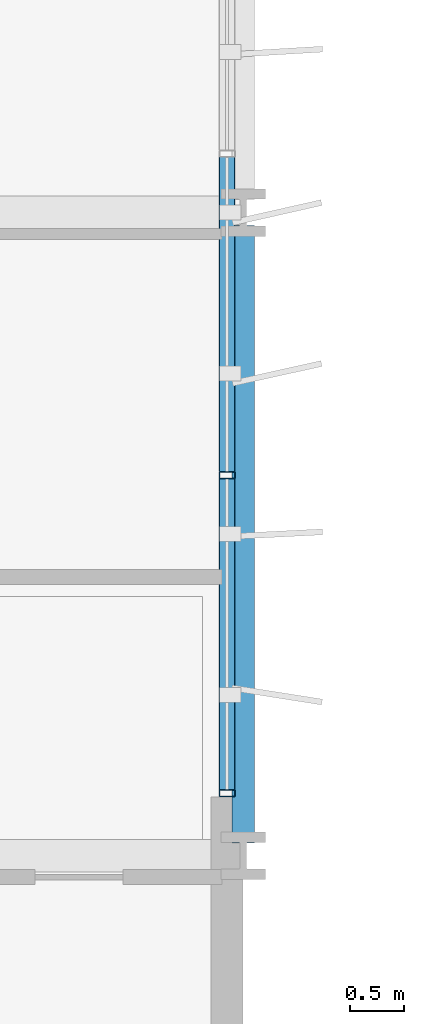
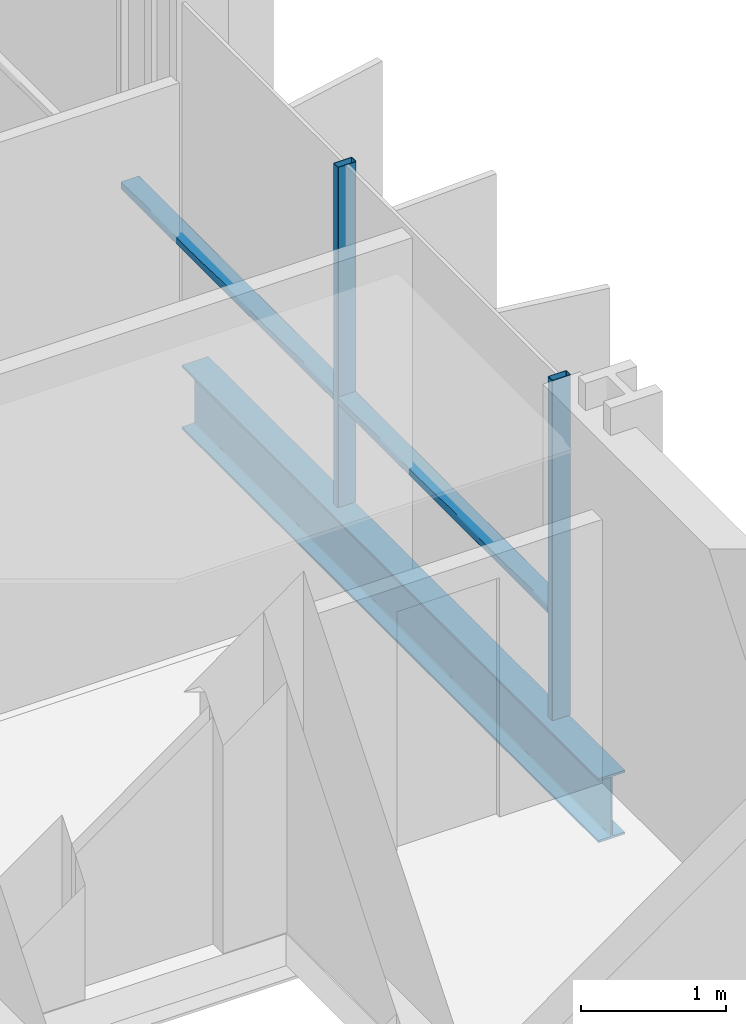
# One storey, part 15 of 38: 4 members, 1 beam, 1 element without a shape of its own.
"""IFC4 building model written with IfcOpenShell, lengths in metres."""

from ifc_helpers import new_model, si_unit, direction, frame, origin, origin_2d, place, context, subcontext, project, spatial, hollow_rectangle, i_section, extrude, material, layer, layer_set, material_profile, profile_set, type_object, element, aggregate, save


model = new_model("IFC4")

# Units and contexts
model_context = context("Model", 3, precision=1e-05, world=origin(), true_north=direction((0.0, 1.0)))
body_context = subcontext(model_context, "Body", "Model", "MODEL_VIEW")
ifc_project = project(units=[si_unit("LENGTHUNIT", "METRE"), si_unit("AREAUNIT", "SQUARE_METRE"), si_unit("VOLUMEUNIT", "CUBIC_METRE"), si_unit("PLANEANGLEUNIT", "RADIAN"), si_unit("MASSUNIT", "GRAM", prefix="KILO")], contexts=[model_context])

# Site, building, storey
site_placement = place(None, origin())
site = spatial("IfcSite", under=ifc_project, at=site_placement, CompositionType="ELEMENT")
building_placement = place(site_placement, origin())
building = spatial("IfcBuilding", under=site, at=building_placement, Name="Brevholm Reach", CompositionType="ELEMENT")
storey_placement = place(building_placement, frame((0.0, 0.0, 28.0)))
storey = spatial("IfcBuildingStorey", under=building, at=storey_placement, Name="L06", CompositionType="ELEMENT", Elevation=28.0)

# Beam
ifc_material_1 = material(Name="Structural Steel S355J2", Category="steel")
ifc_material_profile_1 = material_profile(ifc_material_1, i_section(OverallWidth=0.210693359375, OverallDepth=0.53955078125, WebThickness=0.01171875, FlangeThickness=0.018798828125, FilletRadius=0.0126953125, at=origin_2d()), Name="UKB 533x210x109")
ifc_profile_set_1 = profile_set([ifc_material_profile_1], Name="Structural Steel S355J2")
beam_type = type_object("IfcBeamType", Name="BM-SP539", PredefinedType="SPANDREL", material=ifc_profile_set_1)
beam_placement = place(storey_placement, frame((60.0, 10.1201171875, -0.539794921875), z_axis=(0.0, 1.0, 0.0), x_axis=(-1.0, 0.0, 0.0)))
element("IfcBeam", 1, at=beam_placement, inside=storey, type_object=beam_type, Name="L06 SP-01B Framing Beam", PredefinedType="SPANDREL", context=body_context, shape_type="SweptSolid", body=[
    extrude(i_section(OverallWidth=0.210693359375, OverallDepth=0.53955078125, WebThickness=0.01171875, FlangeThickness=0.018798828125, FilletRadius=0.0126953125, at=origin_2d()), origin(), (0.0, 0.0, 1.0), 5.759765625),
])

# Curtain wall, members
ifc_material_2 = material(Name="Dark Anodised Aluminium 6063-T6 and Solar-Control Glass", Category="aluminium")
ifc_layer = layer(ifc_material_2, 0.14990234375)
ifc_layer_set = layer_set([ifc_layer], Name="Dark Anodised Aluminium 6063-T6 and Solar-Control Glass")
curtain_wall_type = type_object("IfcCurtainWallType", Name="CW-01", PredefinedType="NOTDEFINED", material=ifc_layer_set)
curtain_wall_placement = place(storey_placement, origin())
curtain_wall = element("IfcCurtainWall", 2, at=curtain_wall_placement, inside=storey, type_object=curtain_wall_type, Name="L06 Curtain Wall CW-01", PredefinedType="NOTDEFINED")
ifc_material_3 = material(Name="Dark Anodised Aluminium 6063-T6", Category="aluminium")
ifc_material_profile_2 = material_profile(ifc_material_3, hollow_rectangle(XDim=0.06494140625, YDim=0.14990234375, WallThickness=0.0048828125, InnerFilletRadius=0.0048828125, OuterFilletRadius=0.010009765625, at=origin_2d()), Name="RHS 150x65x5")
ifc_profile_set_2 = profile_set([ifc_material_profile_2], Name="Dark Anodised Aluminium 6063-T6")
member_type_1 = type_object("IfcMemberType", Name="CWM-150", PredefinedType="MULLION", material=ifc_profile_set_2)
member_1_placement = place(storey_placement, frame((59.85009765625, 10.58251953125, 0.0), z_axis=(0.0, 0.0, 1.0), x_axis=(0.0, 1.0, 0.0)))
member_1 = element("IfcMember", 3, at=member_1_placement, type_object=member_type_1, Name="CM-150 Mullion 1", PredefinedType="MULLION", context=body_context, shape_type="SweptSolid", body=[
    extrude(hollow_rectangle(XDim=0.06494140625, YDim=0.14990234375, WallThickness=0.0048828125, InnerFilletRadius=0.0048828125, OuterFilletRadius=0.010009765625, at=origin_2d()), origin(), (0.0, 0.0, 1.0), 2.8701171875),
])
member_2_placement = place(storey_placement, frame((59.85009765625, 13.550048828125, 0.0), z_axis=(0.0, 0.0, 1.0), x_axis=(0.0, 1.0, 0.0)))
member_2 = element("IfcMember", 4, at=member_2_placement, type_object=member_type_1, Name="CM-150 Mullion 2", PredefinedType="MULLION", context=body_context, shape_type="SweptSolid", body=[
    extrude(hollow_rectangle(XDim=0.06494140625, YDim=0.14990234375, WallThickness=0.0048828125, InnerFilletRadius=0.0048828125, OuterFilletRadius=0.010009765625, at=origin_2d()), origin(), (0.0, 0.0, 1.0), 2.8701171875),
])
ifc_material_4 = material(Name="Dark Anodised Aluminium 6063-T6", Category="aluminium")
ifc_material_profile_3 = material_profile(ifc_material_4, hollow_rectangle(XDim=0.06494140625, YDim=0.14990234375, WallThickness=0.0048828125, InnerFilletRadius=0.0048828125, OuterFilletRadius=0.010009765625, at=origin_2d()), Name="RHS 150x65x5")
ifc_profile_set_3 = profile_set([ifc_material_profile_3], Name="Dark Anodised Aluminium 6063-T6")
member_type_2 = type_object("IfcMemberType", Name="CWT-150", PredefinedType="NOTDEFINED", material=ifc_profile_set_3)
member_3_placement = place(storey_placement, frame((59.85009765625, 10.614990234375, 0.89990234375), z_axis=(0.0, 1.0, 0.0), x_axis=(0.0, 0.0, 1.0)))
member_3 = element("IfcMember", 5, at=member_3_placement, type_object=member_type_2, Name="CT-150 Transom 1.1", ObjectType="TRANSOM", PredefinedType="USERDEFINED", context=body_context, shape_type="SweptSolid", body=[
    extrude(hollow_rectangle(XDim=0.06494140625, YDim=0.14990234375, WallThickness=0.0048828125, InnerFilletRadius=0.0048828125, OuterFilletRadius=0.010009765625, at=origin_2d()), origin(), (0.0, 0.0, 1.0), 2.902587890625),
])
member_4_placement = place(storey_placement, frame((59.85009765625, 13.58251953125, 0.89990234375), z_axis=(0.0, 1.0, 0.0), x_axis=(0.0, 0.0, 1.0)))
member_4 = element("IfcMember", 6, at=member_4_placement, type_object=member_type_2, Name="CT-150 Transom 2.1", ObjectType="TRANSOM", PredefinedType="USERDEFINED", context=body_context, shape_type="SweptSolid", body=[
    extrude(hollow_rectangle(XDim=0.06494140625, YDim=0.14990234375, WallThickness=0.0048828125, InnerFilletRadius=0.0048828125, OuterFilletRadius=0.010009765625, at=origin_2d()), origin(), (0.0, 0.0, 1.0), 2.93505859375),
])
aggregate(curtain_wall, [member_1, member_2, member_3, member_4])

save(model, "model.ifc")
